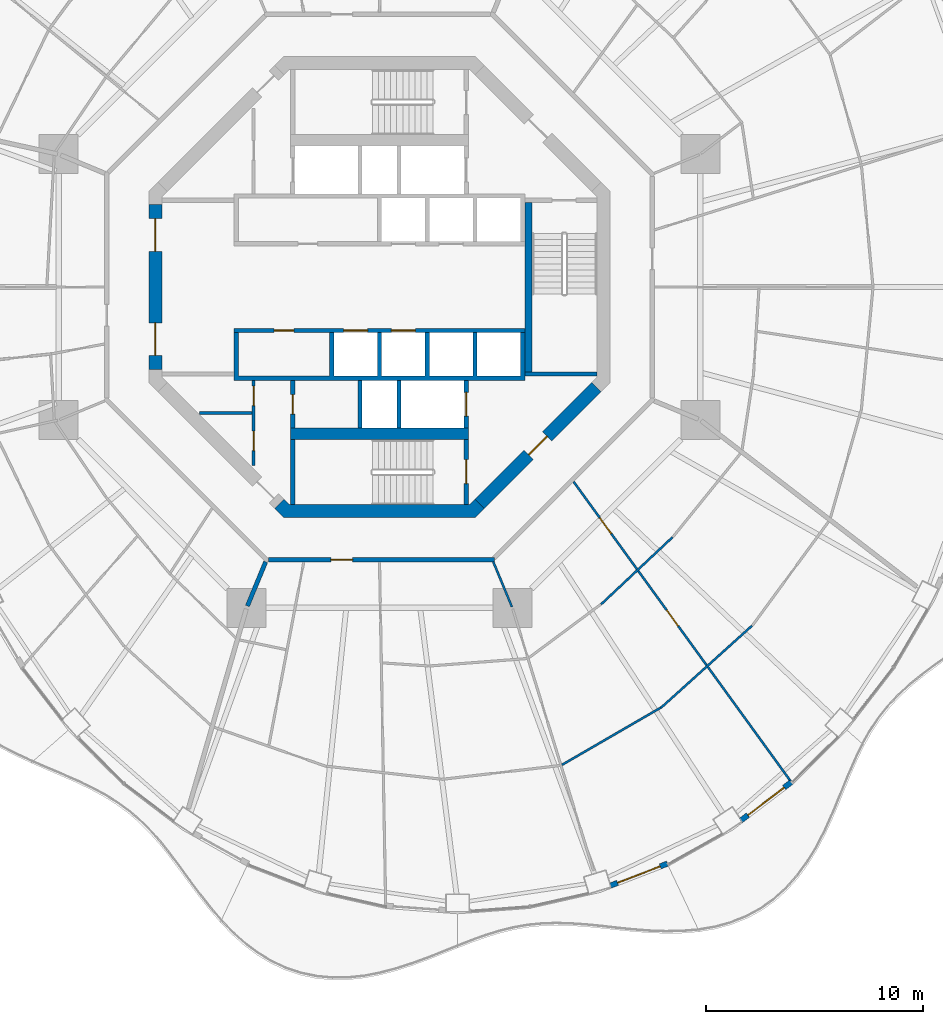
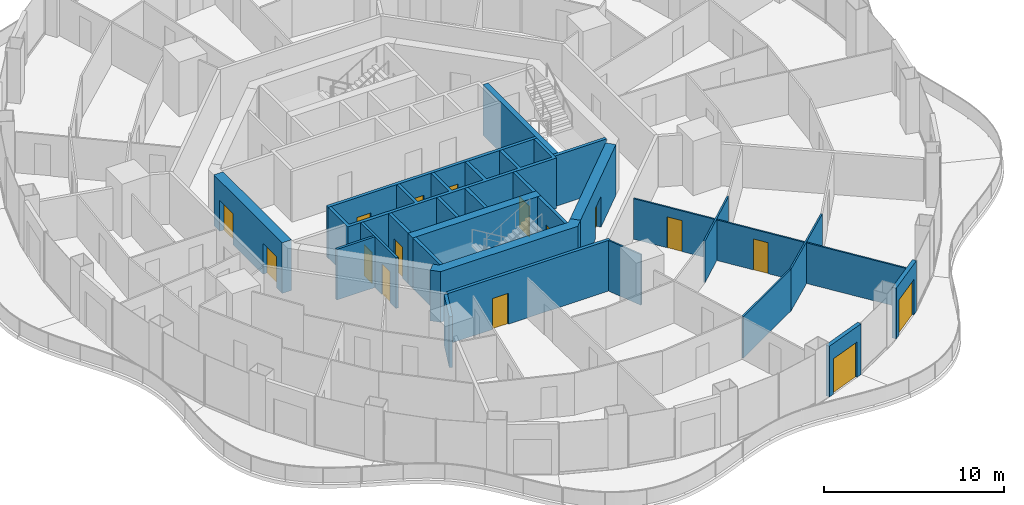
# One storey, part 12 of 19: 25 walls, 16 doors, 16 openings.
"""IFC4 building model written with IfcOpenShell, lengths in metres."""

from ifc_helpers import new_model, si_unit, direction, frame, frame_2d, origin, place, context, subcontext, project, spatial, polyline, rectangle, outline, extrude, material, layer, layer_set, type_object, element, fill, save


model = new_model("IFC4")

# Units and contexts
model_context = context("Model", 3, precision=1e-05, world=origin(), true_north=direction((0.0, 1.0)))
body_context = subcontext(model_context, "Body", "Model", "MODEL_VIEW")
ifc_project = project(units=[si_unit("LENGTHUNIT", "METRE"), si_unit("AREAUNIT", "SQUARE_METRE"), si_unit("VOLUMEUNIT", "CUBIC_METRE"), si_unit("PLANEANGLEUNIT", "RADIAN"), si_unit("MASSUNIT", "GRAM", prefix="KILO")], contexts=[model_context])

# Site, building, storey
site_placement = place(None, origin())
site = spatial("IfcSite", under=ifc_project, at=site_placement, CompositionType="ELEMENT")
building_placement = place(site_placement, origin())
building = spatial("IfcBuilding", under=site, at=building_placement, Name="Nagisa Residences", CompositionType="ELEMENT")
storey_placement = place(building_placement, frame((0.0, 0.0, 169.60009765625)))
storey = spatial("IfcBuildingStorey", under=building, at=storey_placement, Name="L42", CompositionType="ELEMENT", Elevation=169.60009765625)

# Wall
ifc_material_1 = material(Name="Gypsum board on steel studs", Category="steel")
ifc_layer_1 = layer(ifc_material_1, 0.199951171875)
ifc_layer_set_1 = layer_set([ifc_layer_1], Name="Apartment compartment wall EI60 200")
wall_type_1 = type_object("IfcWallType", Name="Apartment compartment wall EI60 200", PredefinedType="PARTITIONING", material=ifc_layer_set_1)
wall_1_placement = place(storey_placement, frame((-5.24267578125, -12.6572265625, 0.0), z_axis=(0.0, 0.0, 1.0), x_axis=(-0.382707856524, -0.923869415315, 0.0)))
element("IfcWall", 1, at=wall_1_placement, inside=storey, type_object=wall_type_1, Name="wall:L42:u04", PredefinedType="PARTITIONING", context=body_context, shape_type="SweptSolid", body=[
    extrude(rectangle(XDim=2.2001953125, YDim=0.199951171875, at=frame_2d((1.10009765625, 0.0))), origin(), (0.0, 0.0, 1.0), 3.43994140625),
])

# Wall, opening, door
ifc_material_2 = material(Name="Gypsum board on steel studs", Category="steel")
ifc_layer_2 = layer(ifc_material_2, 0.199951171875)
ifc_layer_set_2 = layer_set([ifc_layer_2], Name="Apartment entry wall EI60 200")
wall_type_2 = type_object("IfcWallType", Name="Apartment entry wall EI60 200", PredefinedType="PARTITIONING", material=ifc_layer_set_2)
wall_2_placement = place(storey_placement, frame((-5.1044921875, -12.564697265625, 0.0), z_axis=(0.0, 0.0, 1.0), x_axis=(1.0, 0.0, 0.0)))
wall_2 = element("IfcWall", 2, at=wall_2_placement, inside=storey, type_object=wall_type_2, Name="wall:L42:u14", PredefinedType="PARTITIONING", context=body_context, shape_type="SweptSolid", body=[
    extrude(rectangle(XDim=10.408935546875, YDim=0.199951171875, at=frame_2d((5.20458984375, 0.0))), origin(), (0.0, 0.0, 1.0), 3.43994140625),
])
opening_1_placement = place(wall_2_placement, frame((2.86962890625, 0.0, 0.0)))
opening_1 = element("IfcOpeningElement", 3, at=opening_1_placement, cuts=wall_2, Name="Opening L42-U40", PredefinedType="OPENING", context=body_context, shape_type="SweptSolid", body=[
    extrude(rectangle(XDim=1.0, YDim=2.10009765625, at=frame_2d((0.5, 1.050048828125))), frame((0.0, 0.10986328125, 0.0), z_axis=(0.0, -1.0, 0.0), x_axis=(1.0, 0.0, 0.0)), (0.0, 0.0, 1.0), 0.219970703125),
])
ifc_material_3 = material(Name="Timber fire door set", Category="wood")
door_type_1 = type_object("IfcDoorType", Name="Apartment entry door FD30S 1000x2100", OperationType="NOTDEFINED", PredefinedType="DOOR", material=ifc_material_3)
door_1_placement = place(opening_1_placement, frame((1.0, 0.0, 0.0), x_axis=(-1.0, 0.0, 0.0)))
door_1 = element("IfcDoor", 4, at=door_1_placement, inside=storey, type_object=door_type_1, Name="Entry door, Apartment 42D", OperationType="SINGLE_SWING_LEFT", OverallHeight=2.10009765625, OverallWidth=1.0, PredefinedType="DOOR", context=body_context, shape_type="SweptSolid", body=[
    extrude(rectangle(XDim=1.0, YDim=2.10009765625, at=frame_2d((0.5, 1.050048828125))), frame((0.0, 0.02490234375, 0.0), z_axis=(0.0, -1.0, 0.0), x_axis=(1.0, 0.0, 0.0)), (0.0, 0.0, 1.0), 0.050048828125),
])
fill(opening_1, door_1)

# Walls
ifc_material_4 = material(Name="Gypsum board on steel studs", Category="steel")
ifc_layer_3 = layer(ifc_material_4, 0.10009765625)
ifc_layer_set_3 = layer_set([ifc_layer_3], Name="Apartment partition 100")
wall_type_3 = type_object("IfcWallType", Name="Apartment partition 100", PredefinedType="PARTITIONING", material=ifc_layer_set_3)
wall_3_placement = place(storey_placement, frame((5.24267578125, -12.6572265625, 0.0), z_axis=(0.0, 0.0, 1.0), x_axis=(0.382719158442, -0.923864733477, 0.0)))
element("IfcWall", 5, at=wall_3_placement, inside=storey, type_object=wall_type_3, Name="wall:L42:u78", PredefinedType="PARTITIONING", context=body_context, shape_type="SweptSolid", body=[
    extrude(rectangle(XDim=2.25, YDim=0.10009765625, at=frame_2d((1.125, 0.0))), origin(), (0.0, 0.0, 1.0), 3.43994140625),
])
wall_4_placement = place(storey_placement, frame((8.405029296875, -22.01318359375, 0.0), z_axis=(0.0, 0.0, 1.0), x_axis=(0.865277177388, 0.501293732547, 0.0)))
element("IfcWall", 6, at=wall_4_placement, inside=storey, type_object=wall_type_3, Name="wall:L42:u81", PredefinedType="PARTITIONING", context=body_context, shape_type="SweptSolid", body=[
    extrude(rectangle(XDim=5.27001953125, YDim=0.10009765625, at=frame_2d((2.635009765625, 0.0))), origin(), (0.0, 0.0, 1.0), 2.8369140625),
])
wall_5_placement = place(storey_placement, frame((10.21044921875, -14.614013671875, 0.0), z_axis=(0.0, 0.0, 1.0), x_axis=(0.728883199496, 0.684638066055, 0.0)))
element("IfcWall", 7, at=wall_5_placement, inside=storey, type_object=wall_type_3, Name="wall:L42:u82", PredefinedType="PARTITIONING", context=body_context, shape_type="SweptSolid", body=[
    extrude(rectangle(XDim=4.519287109375, YDim=0.10009765625, at=frame_2d((2.259765625, 0.0))), origin(), (0.0, 0.0, 1.0), 2.8369140625),
])
wall_6_placement = place(storey_placement, frame((12.97119140625, -19.3798828125, 0.0), z_axis=(0.0, 0.0, 1.0), x_axis=(0.742768881471, 0.669547898748, 0.0)))
element("IfcWall", 8, at=wall_6_placement, inside=storey, type_object=wall_type_3, Name="wall:L42:u83", PredefinedType="PARTITIONING", context=body_context, shape_type="SweptSolid", body=[
    extrude(rectangle(XDim=5.6416015625, YDim=0.10009765625, at=frame_2d((2.82080078125, 0.0))), origin(), (0.0, 0.0, 1.0), 2.8369140625),
])

# Wall, openings, doors
wall_7_placement = place(storey_placement, frame((8.943359375, -8.965576171875, 0.0), z_axis=(0.0, 0.0, 1.0), x_axis=(0.586803608919, -0.809729290912, 0.0)))
wall_7 = element("IfcWall", 9, at=wall_7_placement, inside=storey, type_object=wall_type_3, Name="wall:L42:u84", PredefinedType="PARTITIONING", context=body_context, shape_type="SweptSolid", body=[
    extrude(rectangle(XDim=17.1787109375, YDim=0.10009765625, at=frame_2d((8.58935546875, 0.0))), origin(), (0.0, 0.0, 1.0), 2.755859375),
])
opening_2_placement = place(wall_7_placement, frame((2.0625, 0.0, 0.0)))
opening_2 = element("IfcOpeningElement", 10, at=opening_2_placement, cuts=wall_7, Name="Opening L42-U44", PredefinedType="OPENING", context=body_context, shape_type="SweptSolid", body=[
    extrude(rectangle(XDim=0.89990234375, YDim=2.10009765625, at=frame_2d((0.449951171875, 1.050048828125))), frame((0.0, 0.06005859375, 0.0), z_axis=(0.0, -1.0, 0.0), x_axis=(1.0, 0.0, 0.0)), (0.0, 0.0, 1.0), 0.1201171875),
])
opening_3_placement = place(wall_7_placement, frame((7.307861328125, 0.0, 0.0)))
opening_3 = element("IfcOpeningElement", 11, at=opening_3_placement, cuts=wall_7, Name="Opening L42-U48", PredefinedType="OPENING", context=body_context, shape_type="SweptSolid", body=[
    extrude(rectangle(XDim=0.89990234375, YDim=2.10009765625, at=frame_2d((0.449951171875, 1.050048828125))), frame((0.0, 0.06005859375, 0.0), z_axis=(0.0, -1.0, 0.0), x_axis=(1.0, 0.0, 0.0)), (0.0, 0.0, 1.0), 0.1201171875),
])
ifc_material_5 = material(Name="Timber door set", Category="wood")
door_type_2 = type_object("IfcDoorType", Name="Apartment door 900x2100", OperationType="NOTDEFINED", PredefinedType="DOOR", material=ifc_material_5)
door_2_placement = place(opening_2_placement, origin())
door_2 = element("IfcDoor", 12, at=door_2_placement, inside=storey, type_object=door_type_2, Name="Door to laundry, Apartment 42D", OperationType="SINGLE_SWING_RIGHT", OverallHeight=2.10009765625, OverallWidth=0.89990234375, PredefinedType="DOOR", context=body_context, shape_type="SweptSolid", body=[
    extrude(rectangle(XDim=0.89990234375, YDim=2.10009765625, at=frame_2d((0.449951171875, 1.050048828125))), frame((0.0, 0.02490234375, 0.0), z_axis=(0.0, -1.0, 0.0), x_axis=(1.0, 0.0, 0.0)), (0.0, 0.0, 1.0), 0.050048828125),
])
fill(opening_2, door_2)
door_3_placement = place(opening_3_placement, origin())
door_3 = element("IfcDoor", 13, at=door_3_placement, inside=storey, type_object=door_type_2, Name="Door to kitchen, Apartment 42D", OperationType="SINGLE_SWING_RIGHT", OverallHeight=2.10009765625, OverallWidth=0.89990234375, PredefinedType="DOOR", context=body_context, shape_type="SweptSolid", body=[
    extrude(rectangle(XDim=0.89990234375, YDim=2.10009765625, at=frame_2d((0.449951171875, 1.050048828125))), frame((0.0, 0.02490234375, 0.0), z_axis=(0.0, -1.0, 0.0), x_axis=(1.0, 0.0, 0.0)), (0.0, 0.0, 1.0), 0.050048828125),
])
fill(opening_3, door_3)

# Wall, opening, door
ifc_material_6 = material(Name="Precast concrete C40/50", Category="concrete")
ifc_layer_4 = layer(ifc_material_6, 0.25)
ifc_layer_set_4 = layer_set([ifc_layer_4], Name="BALCONY DOOR WALL 250")
wall_type_4 = type_object("IfcWallType", Name="BALCONY DOOR WALL 250", PredefinedType="SOLIDWALL", material=ifc_layer_set_4)
wall_8_placement = place(storey_placement, frame((13.265625, -26.560302734375, 0.0), z_axis=(0.0, 0.0, 1.0), x_axis=(-0.932806734513, -0.360377019311, 0.0)))
wall_8 = element("IfcWall", 14, at=wall_8_placement, inside=storey, type_object=wall_type_4, Name="wall:L42:bay38", PredefinedType="SOLIDWALL", context=body_context, shape_type="SweptSolid", body=[
    extrude(rectangle(XDim=2.819580078125, YDim=0.25, at=frame_2d((1.40966796875, 0.0))), origin(), (0.0, 0.0, 1.0), 3.43994140625),
])
opening_4_placement = place(wall_8_placement, frame((0.359619140625, 0.0, 0.0)))
opening_4 = element("IfcOpeningElement", 15, at=opening_4_placement, cuts=wall_8, Name="Opening BD-L42-13", PredefinedType="OPENING", context=body_context, shape_type="SweptSolid", body=[
    extrude(rectangle(XDim=2.10009765625, YDim=2.39990234375, at=frame_2d((1.050048828125, 1.199951171875))), frame((0.0, 0.135009765625, 0.0), z_axis=(0.0, -1.0, 0.0), x_axis=(1.0, 0.0, 0.0)), (0.0, 0.0, 1.0), 0.27001953125),
])
ifc_material_7 = material(Name="Aluminium and clear glass", Category="aluminium")
door_type_3 = type_object("IfcDoorType", Name="BALCONY SLIDING DOOR 2100x2400", OperationType="SLIDING_TO_LEFT", PredefinedType="DOOR", material=ifc_material_7)
door_4_placement = place(opening_4_placement, origin())
door_4 = element("IfcDoor", 16, at=door_4_placement, inside=storey, type_object=door_type_3, Name="door:L42:bay38", OperationType="SLIDING_TO_LEFT", OverallHeight=2.39990234375, OverallWidth=2.10009765625, PredefinedType="DOOR", context=body_context, shape_type="SweptSolid", body=[
    extrude(rectangle(XDim=2.10009765625, YDim=2.39990234375, at=frame_2d((1.050048828125, 1.199951171875))), frame((0.0, 0.02490234375, 0.0), z_axis=(0.0, -1.0, 0.0), x_axis=(1.0, 0.0, 0.0)), (0.0, 0.0, 1.0), 0.050048828125),
])
fill(opening_4, door_4)

wall_9_placement = place(storey_placement, frame((18.9716796875, -22.80859375, 0.0), z_axis=(0.0, 0.0, 1.0), x_axis=(-0.796055733703, -0.60522332146, 0.0)))
wall_9 = element("IfcWall", 17, at=wall_9_placement, inside=storey, type_object=wall_type_4, Name="wall:L42:bay40", PredefinedType="SOLIDWALL", context=body_context, shape_type="SweptSolid", body=[
    extrude(rectangle(XDim=2.9169921875, YDim=0.25, at=frame_2d((1.45849609375, 0.0))), origin(), (0.0, 0.0, 1.0), 3.43994140625),
])
opening_5_placement = place(wall_9_placement, frame((0.408447265625, 0.0, 0.0)))
opening_5 = element("IfcOpeningElement", 18, at=opening_5_placement, cuts=wall_9, Name="Opening BD-L42-14", PredefinedType="OPENING", context=body_context, shape_type="SweptSolid", body=[
    extrude(rectangle(XDim=2.10009765625, YDim=2.39990234375, at=frame_2d((1.050048828125, 1.199951171875))), frame((0.0, 0.135009765625, 0.0), z_axis=(0.0, -1.0, 0.0), x_axis=(1.0, 0.0, 0.0)), (0.0, 0.0, 1.0), 0.27001953125),
])
door_5_placement = place(opening_5_placement, origin())
door_5 = element("IfcDoor", 19, at=door_5_placement, inside=storey, type_object=door_type_3, Name="door:L42:bay40", OperationType="SLIDING_TO_LEFT", OverallHeight=2.39990234375, OverallWidth=2.10009765625, PredefinedType="DOOR", context=body_context, shape_type="SweptSolid", body=[
    extrude(rectangle(XDim=2.10009765625, YDim=2.39990234375, at=frame_2d((1.050048828125, 1.199951171875))), frame((0.0, 0.02490234375, 0.0), z_axis=(0.0, -1.0, 0.0), x_axis=(1.0, 0.0, 0.0)), (0.0, 0.0, 1.0), 0.050048828125),
])
fill(opening_5, door_5)

# Wall, openings, doors
ifc_material_8 = material(Name="Gypsum board on steel studs", Category="steel")
ifc_layer_5 = layer(ifc_material_8, 0.14990234375)
ifc_layer_set_5 = layer_set([ifc_layer_5], Name="Core partition 150")
wall_type_5 = type_object("IfcWallType", Name="Core partition 150", PredefinedType="PARTITIONING", material=ifc_layer_set_5)
wall_10_placement = place(storey_placement, frame((-5.800048828125, -8.22705078125, 0.0), z_axis=(0.0, 0.0, 1.0), x_axis=(0.0, 1.0, 0.0)))
wall_10 = element("IfcWall", 20, at=wall_10_placement, inside=storey, type_object=wall_type_5, Name="wall:L42:SWp", PredefinedType="PARTITIONING", context=body_context, shape_type="SweptSolid", body=[
    extrude(rectangle(XDim=3.927001953125, YDim=0.14990234375, at=frame_2d((1.96337890625, 0.0))), origin(), (0.0, 0.0, 1.0), 3.43994140625),
])
opening_6_placement = place(wall_10_placement, frame((2.764404296875, 0.0, 0.0)))
opening_6 = element("IfcOpeningElement", 21, at=opening_6_placement, cuts=wall_10, Name="Opening L42-C12", PredefinedType="OPENING", context=body_context, shape_type="SweptSolid", body=[
    extrude(rectangle(XDim=0.89990234375, YDim=2.10009765625, at=frame_2d((0.449951171875, 1.050048828125))), frame((0.0, 0.0849609375, 0.0), z_axis=(0.0, -1.0, 0.0), x_axis=(1.0, 0.0, 0.0)), (0.0, 0.0, 1.0), 0.169921875),
])
opening_7_placement = place(wall_10_placement, frame((0.6884765625, 0.0, 0.0)))
opening_7 = element("IfcOpeningElement", 22, at=opening_7_placement, cuts=wall_10, Name="Opening L42-C13", PredefinedType="OPENING", context=body_context, shape_type="SweptSolid", body=[
    extrude(rectangle(XDim=0.89990234375, YDim=2.10009765625, at=frame_2d((0.449951171875, 1.050048828125))), frame((0.0, 0.0849609375, 0.0), z_axis=(0.0, -1.0, 0.0), x_axis=(1.0, 0.0, 0.0)), (0.0, 0.0, 1.0), 0.169921875),
])
ifc_material_9 = material(Name="Steel fire door", Category="steel")
door_type_4 = type_object("IfcDoorType", Name="Fire door EI30 900x2100 single swing", OperationType="NOTDEFINED", PredefinedType="DOOR", material=ifc_material_9)
door_6_placement = place(opening_6_placement, origin())
door_6 = element("IfcDoor", 23, at=door_6_placement, inside=storey, type_object=door_type_4, Name="Janitor door L42", OperationType="SINGLE_SWING_RIGHT", OverallHeight=2.10009765625, OverallWidth=0.89990234375, PredefinedType="DOOR", context=body_context, shape_type="SweptSolid", body=[
    extrude(rectangle(XDim=0.89990234375, YDim=2.10009765625, at=frame_2d((0.449951171875, 1.050048828125))), frame((0.0, 0.02490234375, 0.0), z_axis=(0.0, -1.0, 0.0), x_axis=(1.0, 0.0, 0.0)), (0.0, 0.0, 1.0), 0.050048828125),
])
fill(opening_6, door_6)
door_7_placement = place(opening_7_placement, origin())
door_7 = element("IfcDoor", 24, at=door_7_placement, inside=storey, type_object=door_type_4, Name="Electrical room door L42", OperationType="SINGLE_SWING_RIGHT", OverallHeight=2.10009765625, OverallWidth=0.89990234375, PredefinedType="DOOR", context=body_context, shape_type="SweptSolid", body=[
    extrude(rectangle(XDim=0.89990234375, YDim=2.10009765625, at=frame_2d((0.449951171875, 1.050048828125))), frame((0.0, 0.02490234375, 0.0), z_axis=(0.0, -1.0, 0.0), x_axis=(1.0, 0.0, 0.0)), (0.0, 0.0, 1.0), 0.050048828125),
])
fill(opening_7, door_7)

# Wall
wall_11_placement = place(storey_placement, frame((-8.301025390625, -5.800048828125, 0.0), z_axis=(0.0, 0.0, 1.0), x_axis=(1.0, 0.0, 0.0)))
element("IfcWall", 25, at=wall_11_placement, inside=storey, type_object=wall_type_5, Name="wall:L42:SWq", PredefinedType="PARTITIONING", context=body_context, shape_type="SweptSolid", body=[
    extrude(rectangle(XDim=2.426025390625, YDim=0.14990234375, at=frame_2d((1.212890625, 0.0))), origin(), (0.0, 0.0, 1.0), 3.43994140625),
])

# Wall, openings, doors
ifc_material_10 = material(Name="Concrete C60", Category="concrete")
ifc_layer_6 = layer(ifc_material_10, 0.60009765625)
ifc_layer_set_6 = layer_set([ifc_layer_6], Name="Core shear wall 600")
wall_type_6 = type_object("IfcWallType", Name="Core shear wall 600", PredefinedType="SHEAR", material=ifc_layer_set_6)
wall_12_placement = place(storey_placement, frame((-10.32470703125, 3.80078125, 0.0), z_axis=(0.0, 0.0, 1.0), x_axis=(0.0, -1.0, 0.0)))
wall_12 = element("IfcWall", 26, at=wall_12_placement, inside=storey, type_object=wall_type_6, Name="wall:L42:core:flat4", PredefinedType="SHEAR", context=body_context, shape_type="SweptSolid", body=[
    extrude(rectangle(XDim=7.6015625, YDim=0.60009765625, at=frame_2d((3.80078125, 0.0))), origin(), (0.0, 0.0, 1.0), 3.43994140625),
])
opening_8_placement = place(wall_12_placement, frame((0.65087890625, 0.0, 0.0)))
opening_8 = element("IfcOpeningElement", 27, at=opening_8_placement, cuts=wall_12, Name="Opening L42-C19", PredefinedType="OPENING", context=body_context, shape_type="SweptSolid", body=[
    extrude(rectangle(XDim=1.5, YDim=2.10009765625, at=frame_2d((0.75, 1.050048828125))), frame((0.0, 0.31005859375, 0.0), z_axis=(0.0, -1.0, 0.0), x_axis=(1.0, 0.0, 0.0)), (0.0, 0.0, 1.0), 0.6201171875),
])
opening_9_placement = place(wall_12_placement, frame((5.450927734375, 0.0, 0.0)))
opening_9 = element("IfcOpeningElement", 28, at=opening_9_placement, cuts=wall_12, Name="Opening L42-C20", PredefinedType="OPENING", context=body_context, shape_type="SweptSolid", body=[
    extrude(rectangle(XDim=1.5, YDim=2.10009765625, at=frame_2d((0.75, 1.050048828125))), frame((0.0, 0.31005859375, 0.0), z_axis=(0.0, -1.0, 0.0), x_axis=(1.0, 0.0, 0.0)), (0.0, 0.0, 1.0), 0.6201171875),
])
ifc_material_11 = material(Name="Steel fire door", Category="steel")
door_type_5 = type_object("IfcDoorType", Name="Fire door EI60 1500x2100 double door single swing", OperationType="DOUBLE_DOOR_SINGLE_SWING", PredefinedType="DOOR", material=ifc_material_11)
door_8_placement = place(opening_8_placement, origin())
door_8 = element("IfcDoor", 29, at=door_8_placement, inside=storey, type_object=door_type_5, Name="Lift lobby door L42 1", OperationType="DOUBLE_DOOR_SINGLE_SWING", OverallHeight=2.10009765625, OverallWidth=1.5, PredefinedType="DOOR", context=body_context, shape_type="SweptSolid", body=[
    extrude(rectangle(XDim=1.5, YDim=2.10009765625, at=frame_2d((0.75, 1.050048828125))), frame((0.0, 0.02490234375, 0.0), z_axis=(0.0, -1.0, 0.0), x_axis=(1.0, 0.0, 0.0)), (0.0, 0.0, 1.0), 0.050048828125),
])
fill(opening_8, door_8)
door_9_placement = place(opening_9_placement, origin())
door_9 = element("IfcDoor", 30, at=door_9_placement, inside=storey, type_object=door_type_5, Name="Lift lobby door L42 2", OperationType="DOUBLE_DOOR_SINGLE_SWING", OverallHeight=2.10009765625, OverallWidth=1.5, PredefinedType="DOOR", context=body_context, shape_type="SweptSolid", body=[
    extrude(rectangle(XDim=1.5, YDim=2.10009765625, at=frame_2d((0.75, 1.050048828125))), frame((0.0, 0.02490234375, 0.0), z_axis=(0.0, -1.0, 0.0), x_axis=(1.0, 0.0, 0.0)), (0.0, 0.0, 1.0), 0.050048828125),
])
fill(opening_9, door_9)

# Wall, opening, door
wall_13_placement = place(storey_placement, frame((4.613037109375, -9.98828125, 0.0), z_axis=(0.0, 0.0, 1.0), x_axis=(0.707106781187, 0.707106781187, 0.0)))
wall_13 = element("IfcWall", 31, at=wall_13_placement, inside=storey, type_object=wall_type_6, Name="wall:L42:core:flat7", PredefinedType="SHEAR", context=body_context, shape_type="SweptSolid", body=[
    extrude(rectangle(XDim=7.601806640625, YDim=0.60009765625, at=frame_2d((3.80078125, 0.0))), origin(), (0.0, 0.0, 1.0), 3.43994140625),
])
opening_10_placement = place(wall_13_placement, frame((3.200927734375, 0.0, 0.0)))
opening_10 = element("IfcOpeningElement", 32, at=opening_10_placement, cuts=wall_13, Name="Opening L42-C18", PredefinedType="OPENING", context=body_context, shape_type="SweptSolid", body=[
    extrude(rectangle(XDim=1.199951171875, YDim=2.10009765625, at=frame_2d((0.60009765625, 1.050048828125))), frame((0.0, 0.31005859375, 0.0), z_axis=(0.0, -1.0, 0.0), x_axis=(1.0, 0.0, 0.0)), (0.0, 0.0, 1.0), 0.6201171875),
])
ifc_material_12 = material(Name="Steel fire door", Category="steel")
door_type_6 = type_object("IfcDoorType", Name="Fire door EI60 1200x2100 single swing", OperationType="NOTDEFINED", PredefinedType="DOOR", material=ifc_material_12)
door_10_placement = place(opening_10_placement, origin())
door_10 = element("IfcDoor", 33, at=door_10_placement, inside=storey, type_object=door_type_6, Name="Firefighting lobby 2 door L42", OperationType="SINGLE_SWING_RIGHT", OverallHeight=2.10009765625, OverallWidth=1.199951171875, PredefinedType="DOOR", context=body_context, shape_type="SweptSolid", body=[
    extrude(rectangle(XDim=1.199951171875, YDim=2.10009765625, at=frame_2d((0.60009765625, 1.050048828125))), frame((0.0, 0.02490234375, 0.0), z_axis=(0.0, -1.0, 0.0), x_axis=(1.0, 0.0, 0.0)), (0.0, 0.0, 1.0), 0.050048828125),
])
fill(opening_10, door_10)

# Wall
wall_14_placement = place(storey_placement, origin())
element("IfcWall", 34, at=wall_14_placement, inside=storey, type_object=wall_type_6, Name="wall:L42:core:flat6", PredefinedType="SHEAR", context=body_context, shape_type="SweptSolid", body=[
    extrude(outline(polyline([(-4.15234375, -10.024658203125), (4.15234375, -10.024658203125), (4.40087890625, -9.776123046875), (4.8251953125, -10.200439453125), (4.40087890625, -10.62451171875), (-4.40087890625, -10.62451171875), (-4.8251953125, -10.200439453125), (-4.40087890625, -9.776123046875), (-4.15234375, -10.024658203125)])), origin(), (0.0, 0.0, 1.0), 3.43994140625),
])

# Wall, opening, door
ifc_material_13 = material(Name="Concrete C60", Category="concrete")
ifc_layer_7 = layer(ifc_material_13, 0.199951171875)
ifc_layer_set_7 = layer_set([ifc_layer_7], Name="Lift shaft wall 200")
wall_type_7 = type_object("IfcWallType", Name="Lift shaft wall 200", PredefinedType="SOLIDWALL", material=ifc_layer_set_7)
wall_15_placement = place(storey_placement, frame((4.0, -6.5, 0.0), z_axis=(0.0, 0.0, 1.0), x_axis=(0.0, 1.0, 0.0)))
wall_15 = element("IfcWall", 35, at=wall_15_placement, inside=storey, type_object=wall_type_7, Name="wall:L42:Sb3", PredefinedType="SOLIDWALL", context=body_context, shape_type="SweptSolid", body=[
    extrude(rectangle(XDim=2.199951171875, YDim=0.199951171875, at=frame_2d((1.10009765625, 0.0))), origin(), (0.0, 0.0, 1.0), 3.43994140625),
])
opening_11_placement = place(wall_15_placement, frame((0.550048828125, 0.0, 0.0)))
opening_11 = element("IfcOpeningElement", 36, at=opening_11_placement, cuts=wall_15, Name="Opening L42-C06", PredefinedType="OPENING", context=body_context, shape_type="SweptSolid", body=[
    extrude(rectangle(XDim=1.10009765625, YDim=2.10009765625, at=frame_2d((0.550048828125, 1.050048828125))), frame((0.0, 0.10986328125, 0.0), z_axis=(0.0, -1.0, 0.0), x_axis=(1.0, 0.0, 0.0)), (0.0, 0.0, 1.0), 0.219970703125),
])
ifc_material_14 = material(Name="Stainless steel", Category="steel")
door_type_7 = type_object("IfcDoorType", Name="Lift landing door 1100x2100", OperationType="DOUBLE_DOOR_SLIDING", PredefinedType="DOOR", material=ifc_material_14)
door_11_placement = place(opening_11_placement, origin())
door_11 = element("IfcDoor", 37, at=door_11_placement, inside=storey, type_object=door_type_7, Name="Landing door FL2 L42", OperationType="DOUBLE_DOOR_SLIDING", OverallHeight=2.10009765625, OverallWidth=1.10009765625, PredefinedType="DOOR", context=body_context, shape_type="SweptSolid", body=[
    extrude(rectangle(XDim=1.10009765625, YDim=2.10009765625, at=frame_2d((0.550048828125, 1.050048828125))), frame((0.0, 0.02490234375, 0.0), z_axis=(0.0, -1.0, 0.0), x_axis=(1.0, 0.0, 0.0)), (0.0, 0.0, 1.0), 0.050048828125),
])
fill(opening_11, door_11)

wall_16_placement = place(storey_placement, frame((-4.0, -6.5, 0.0), z_axis=(0.0, 0.0, 1.0), x_axis=(0.0, 1.0, 0.0)))
wall_16 = element("IfcWall", 38, at=wall_16_placement, inside=storey, type_object=wall_type_7, Name="wall:L42:Sb4", PredefinedType="SOLIDWALL", context=body_context, shape_type="SweptSolid", body=[
    extrude(rectangle(XDim=2.199951171875, YDim=0.199951171875, at=frame_2d((1.10009765625, 0.0))), origin(), (0.0, 0.0, 1.0), 3.43994140625),
])
opening_12_placement = place(wall_16_placement, frame((0.64990234375, 0.0, 0.0)))
opening_12 = element("IfcOpeningElement", 39, at=opening_12_placement, cuts=wall_16, Name="Opening L42-C14", PredefinedType="OPENING", context=body_context, shape_type="SweptSolid", body=[
    extrude(rectangle(XDim=0.89990234375, YDim=2.10009765625, at=frame_2d((0.449951171875, 1.050048828125))), frame((0.0, 0.10986328125, 0.0), z_axis=(0.0, -1.0, 0.0), x_axis=(1.0, 0.0, 0.0)), (0.0, 0.0, 1.0), 0.219970703125),
])
door_12_placement = place(opening_12_placement, frame((0.89990234375, 0.0, 0.0), x_axis=(-1.0, 0.0, 0.0)))
door_12 = element("IfcDoor", 40, at=door_12_placement, inside=storey, type_object=door_type_4, Name="Refuse room door L42", OperationType="SINGLE_SWING_LEFT", OverallHeight=2.10009765625, OverallWidth=0.89990234375, PredefinedType="DOOR", context=body_context, shape_type="SweptSolid", body=[
    extrude(rectangle(XDim=0.89990234375, YDim=2.10009765625, at=frame_2d((0.449951171875, 1.050048828125))), frame((0.0, 0.02490234375, 0.0), z_axis=(0.0, -1.0, 0.0), x_axis=(1.0, 0.0, 0.0)), (0.0, 0.0, 1.0), 0.050048828125),
])
fill(opening_12, door_12)

# Wall, openings, doors
wall_17_placement = place(storey_placement, frame((-6.699951171875, -2.0, 0.0), z_axis=(0.0, 0.0, 1.0), x_axis=(1.0, 0.0, 0.0)))
wall_17 = element("IfcWall", 41, at=wall_17_placement, inside=storey, type_object=wall_type_7, Name="wall:L42:Sfront", PredefinedType="SOLIDWALL", context=body_context, shape_type="SweptSolid", body=[
    extrude(rectangle(XDim=13.39990234375, YDim=0.199951171875, at=frame_2d((6.699951171875, 0.0))), origin(), (0.0, 0.0, 1.0), 3.43994140625),
])
opening_13_placement = place(wall_17_placement, frame((5.050048828125, 0.0, 0.0)))
opening_13 = element("IfcOpeningElement", 42, at=opening_13_placement, cuts=wall_17, Name="Opening L42-C03", PredefinedType="OPENING", context=body_context, shape_type="SweptSolid", body=[
    extrude(rectangle(XDim=1.10009765625, YDim=2.10009765625, at=frame_2d((0.550048828125, 1.050048828125))), frame((0.0, 0.10986328125, 0.0), z_axis=(0.0, -1.0, 0.0), x_axis=(1.0, 0.0, 0.0)), (0.0, 0.0, 1.0), 0.219970703125),
])
opening_14_placement = place(wall_17_placement, frame((7.25, 0.0, 0.0)))
opening_14 = element("IfcOpeningElement", 43, at=opening_14_placement, cuts=wall_17, Name="Opening L42-C04", PredefinedType="OPENING", context=body_context, shape_type="SweptSolid", body=[
    extrude(rectangle(XDim=1.10009765625, YDim=2.10009765625, at=frame_2d((0.550048828125, 1.050048828125))), frame((0.0, 0.10986328125, 0.0), z_axis=(0.0, -1.0, 0.0), x_axis=(1.0, 0.0, 0.0)), (0.0, 0.0, 1.0), 0.219970703125),
])
opening_15_placement = place(wall_17_placement, frame((1.85009765625, 0.0, 0.0)))
opening_15 = element("IfcOpeningElement", 44, at=opening_15_placement, cuts=wall_17, Name="Opening L42-C16", PredefinedType="OPENING", context=body_context, shape_type="SweptSolid", body=[
    extrude(rectangle(XDim=0.89990234375, YDim=2.10009765625, at=frame_2d((0.449951171875, 1.050048828125))), frame((0.0, 0.10986328125, 0.0), z_axis=(0.0, -1.0, 0.0), x_axis=(1.0, 0.0, 0.0)), (0.0, 0.0, 1.0), 0.219970703125),
])
door_13_placement = place(opening_15_placement, frame((0.89990234375, 0.0, 0.0), x_axis=(-1.0, 0.0, 0.0)))
door_13 = element("IfcDoor", 45, at=door_13_placement, inside=storey, type_object=door_type_4, Name="Owner storage door L42", OperationType="SINGLE_SWING_RIGHT", OverallHeight=2.10009765625, OverallWidth=0.89990234375, PredefinedType="DOOR", context=body_context, shape_type="SweptSolid", body=[
    extrude(rectangle(XDim=0.89990234375, YDim=2.10009765625, at=frame_2d((0.449951171875, 1.050048828125))), frame((0.0, 0.02490234375, 0.0), z_axis=(0.0, -1.0, 0.0), x_axis=(1.0, 0.0, 0.0)), (0.0, 0.0, 1.0), 0.050048828125),
])
fill(opening_15, door_13)
door_14_placement = place(opening_13_placement, origin())
door_14 = element("IfcDoor", 46, at=door_14_placement, inside=storey, type_object=door_type_7, Name="Landing door B3 L42", OperationType="DOUBLE_DOOR_SLIDING", OverallHeight=2.10009765625, OverallWidth=1.10009765625, PredefinedType="DOOR", context=body_context, shape_type="SweptSolid", body=[
    extrude(rectangle(XDim=1.10009765625, YDim=2.10009765625, at=frame_2d((0.550048828125, 1.050048828125))), frame((0.0, 0.02490234375, 0.0), z_axis=(0.0, -1.0, 0.0), x_axis=(1.0, 0.0, 0.0)), (0.0, 0.0, 1.0), 0.050048828125),
])
fill(opening_13, door_14)
door_15_placement = place(opening_14_placement, origin())
door_15 = element("IfcDoor", 47, at=door_15_placement, inside=storey, type_object=door_type_7, Name="Landing door B4 L42", OperationType="DOUBLE_DOOR_SLIDING", OverallHeight=2.10009765625, OverallWidth=1.10009765625, PredefinedType="DOOR", context=body_context, shape_type="SweptSolid", body=[
    extrude(rectangle(XDim=1.10009765625, YDim=2.10009765625, at=frame_2d((0.550048828125, 1.050048828125))), frame((0.0, 0.02490234375, 0.0), z_axis=(0.0, -1.0, 0.0), x_axis=(1.0, 0.0, 0.0)), (0.0, 0.0, 1.0), 0.050048828125),
])
fill(opening_14, door_15)

# Walls
for number, where, z_axis, x_axis, name in (
    (48, (-0.89990234375, -6.5, 0.0), (0.0, 0.0, 1.0), (0.0, 1.0, 0.0), "wall:L42:Sb1"),
    (49, (0.89990234375, -6.5, 0.0), (0.0, 0.0, 1.0), (0.0, 1.0, 0.0), "wall:L42:Sb2"),
):
    element("IfcWall", number, at=place(storey_placement, frame(where, z_axis=z_axis, x_axis=x_axis)), inside=storey, type_object=wall_type_7, Name=name, PredefinedType="SOLIDWALL", context=body_context, shape_type="SweptSolid", body=[
        extrude(rectangle(XDim=2.199951171875, YDim=0.199951171875, at=frame_2d((1.10009765625, 0.0))), origin(), (0.0, 0.0, 1.0), 3.43994140625),
    ])
wall_18_placement = place(storey_placement, origin())
element("IfcWall", 50, at=wall_18_placement, inside=storey, type_object=wall_type_7, Name="wall:L42:Sback", PredefinedType="SOLIDWALL", context=body_context, shape_type="SweptSolid", body=[
    extrude(outline(polyline([(-6.699951171875, -2.10009765625), (-6.5, -2.10009765625), (-6.5, -4.10009765625), (-2.300048828125, -4.10009765625), (-2.300048828125, -2.10009765625), (-2.10009765625, -2.10009765625), (-2.10009765625, -4.10009765625), (-0.10009765625, -4.10009765625), (-0.10009765625, -2.10009765625), (0.10009765625, -2.10009765625), (0.10009765625, -4.10009765625), (2.10009765625, -4.10009765625), (2.10009765625, -2.10009765625), (2.300048828125, -2.10009765625), (2.300048828125, -4.10009765625), (4.300048828125, -4.10009765625), (4.300048828125, -2.10009765625), (4.5, -2.10009765625), (4.5, -4.10009765625), (6.5, -4.10009765625), (6.5, -2.10009765625), (6.699951171875, -2.10009765625), (6.699951171875, -4.300048828125), (-6.699951171875, -4.300048828125), (-6.699951171875, -2.10009765625)])), origin(), (0.0, 0.0, 1.0), 3.43994140625),
])

# Wall, opening, door
ifc_material_15 = material(Name="Concrete C60", Category="concrete")
ifc_layer_8 = layer(ifc_material_15, 0.199951171875)
ifc_layer_set_8 = layer_set([ifc_layer_8], Name="Stair enclosure wall 200")
wall_type_8 = type_object("IfcWallType", Name="Stair enclosure wall 200", PredefinedType="SOLIDWALL", material=ifc_layer_set_8)
wall_19_placement = place(storey_placement, frame((4.0, -10.024658203125, 0.0), z_axis=(0.0, 0.0, 1.0), x_axis=(0.0, 1.0, 0.0)))
wall_19 = element("IfcWall", 51, at=wall_19_placement, inside=storey, type_object=wall_type_8, Name="wall:L42:SS_e", PredefinedType="SOLIDWALL", context=body_context, shape_type="SweptSolid", body=[
    extrude(rectangle(XDim=3.0, YDim=0.199951171875, at=frame_2d((1.5, 0.0))), origin(), (0.0, 0.0, 1.0), 3.43994140625),
])
opening_16_placement = place(wall_19_placement, frame((0.974609375, 0.0, 0.0)))
opening_16 = element("IfcOpeningElement", 52, at=opening_16_placement, cuts=wall_19, Name="Opening L42-C10", PredefinedType="OPENING", context=body_context, shape_type="SweptSolid", body=[
    extrude(rectangle(XDim=1.10009765625, YDim=2.10009765625, at=frame_2d((0.550048828125, 1.050048828125))), frame((0.0, 0.10986328125, 0.0), z_axis=(0.0, -1.0, 0.0), x_axis=(1.0, 0.0, 0.0)), (0.0, 0.0, 1.0), 0.219970703125),
])
ifc_material_16 = material(Name="Steel fire door", Category="steel")
door_type_8 = type_object("IfcDoorType", Name="Fire door EI90 1100x2100 single swing", OperationType="NOTDEFINED", PredefinedType="DOOR", material=ifc_material_16)
door_16_placement = place(opening_16_placement, origin())
door_16 = element("IfcDoor", 53, at=door_16_placement, inside=storey, type_object=door_type_8, Name="Stair door ST-S L42", OperationType="SINGLE_SWING_RIGHT", OverallHeight=2.10009765625, OverallWidth=1.10009765625, PredefinedType="DOOR", context=body_context, shape_type="SweptSolid", body=[
    extrude(rectangle(XDim=1.10009765625, YDim=2.10009765625, at=frame_2d((0.550048828125, 1.050048828125))), frame((0.0, 0.02490234375, 0.0), z_axis=(0.0, -1.0, 0.0), x_axis=(1.0, 0.0, 0.0)), (0.0, 0.0, 1.0), 0.050048828125),
])
fill(opening_16, door_16)

# Walls
wall_20_placement = place(storey_placement, origin())
element("IfcWall", 54, at=wall_20_placement, inside=storey, type_object=wall_type_8, Name="wall:L42:SS_w", PredefinedType="SOLIDWALL", context=body_context, shape_type="SweptSolid", body=[
    extrude(outline(polyline([(-3.89990234375, -10.024658203125), (-4.10009765625, -10.024658203125), (-4.10009765625, -7.024658203125), (-3.89990234375, -7.024658203125), (-3.89990234375, -10.024658203125)])), origin(), (0.0, 0.0, 1.0), 3.43994140625),
])
wall_21_placement = place(storey_placement, origin())
element("IfcWall", 55, at=wall_21_placement, inside=storey, type_object=wall_type_8, Name="wall:L42:SS_n", PredefinedType="SOLIDWALL", context=body_context, shape_type="SweptSolid", body=[
    extrude(outline(polyline([(4.10009765625, -7.024658203125), (-4.10009765625, -7.024658203125), (-4.10009765625, -6.5), (4.10009765625, -6.5), (4.10009765625, -7.024658203125)])), origin(), (0.0, 0.0, 1.0), 3.43994140625),
])
wall_22_placement = place(storey_placement, origin())
element("IfcWall", 56, at=wall_22_placement, inside=storey, type_object=wall_type_8, Name="wall:L42:SE_w", PredefinedType="SOLIDWALL", context=body_context, shape_type="SweptSolid", body=[
    extrude(outline(polyline([(7.024658203125, -3.89990234375), (6.699951171875, -3.89990234375), (6.699951171875, 3.89990234375), (7.024658203125, 3.89990234375), (7.024658203125, -3.89990234375)])), origin(), (0.0, 0.0, 1.0), 3.43994140625),
])
wall_23_placement = place(storey_placement, origin())
element("IfcWall", 57, at=wall_23_placement, inside=storey, type_object=wall_type_8, Name="wall:L42:SE_s", PredefinedType="SOLIDWALL", context=body_context, shape_type="SweptSolid", body=[
    extrude(outline(polyline([(10.024658203125, -4.10009765625), (6.699951171875, -4.10009765625), (6.699951171875, -3.89990234375), (10.024658203125, -3.89990234375), (10.024658203125, -4.10009765625)])), origin(), (0.0, 0.0, 1.0), 3.43994140625),
])

save(model, "model.ifc")
